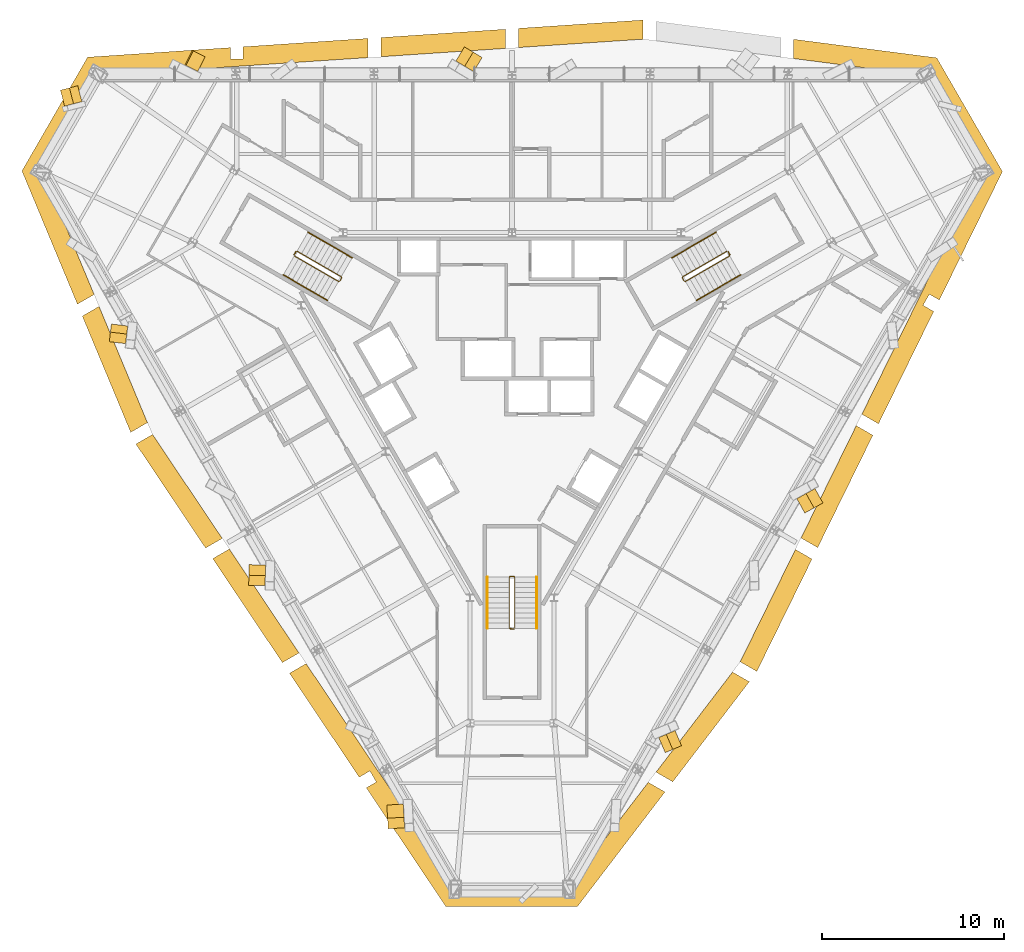
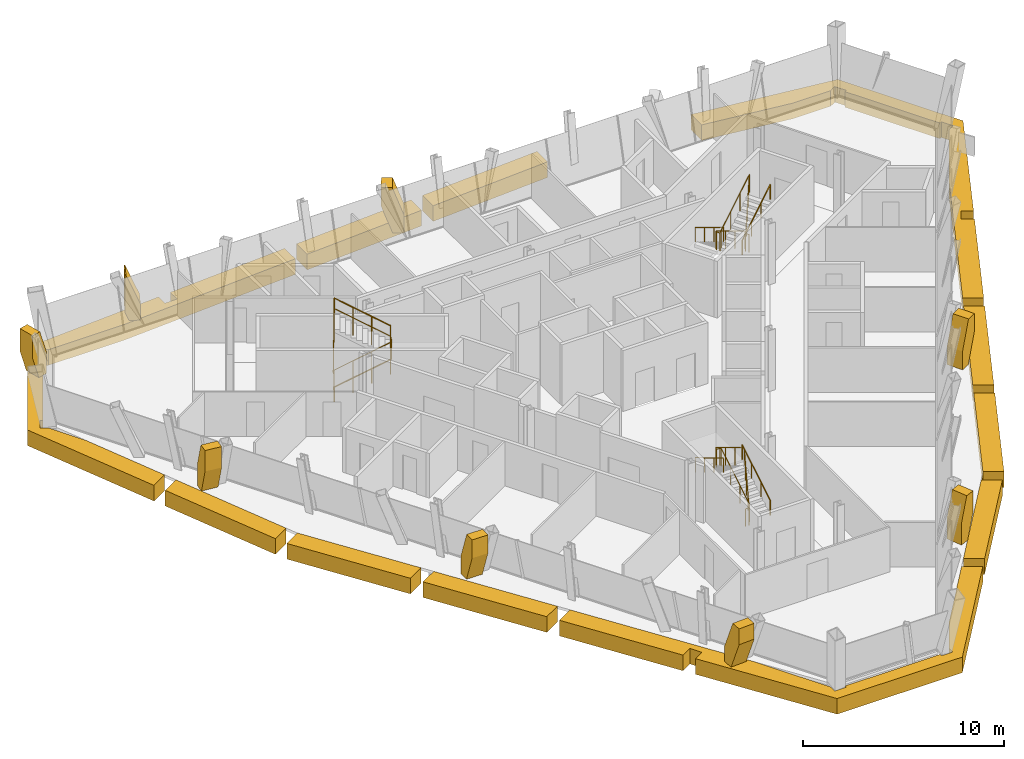
# One storey, part 10 of 11: 19 coverings, 9 railings.
"""IFC4 building model written with IfcOpenShell, lengths in metres."""

from ifc_helpers import new_model, si_unit, direction, frame, origin, origin_2d, place, context, subcontext, project, spatial, polyline, circle, outline, extrude, material, layer, layer_set, type_object, element, save


model = new_model("IFC4")

# Units and contexts
model_context = context("Model", 3, precision=1e-05, world=origin(), true_north=direction((0.0, 1.0)))
body_context = subcontext(model_context, "Body", "Model", "MODEL_VIEW")
ifc_project = project(units=[si_unit("LENGTHUNIT", "METRE"), si_unit("AREAUNIT", "SQUARE_METRE"), si_unit("VOLUMEUNIT", "CUBIC_METRE"), si_unit("PLANEANGLEUNIT", "RADIAN"), si_unit("MASSUNIT", "GRAM", prefix="KILO")], contexts=[model_context])

# Site, building, storey
site_placement = place(None, origin())
site = spatial("IfcSite", under=ifc_project, at=site_placement, CompositionType="ELEMENT")
building_placement = place(site_placement, origin())
building = spatial("IfcBuilding", under=site, at=building_placement, Name="Verrane Prism Tower", CompositionType="ELEMENT")
storey_placement = place(building_placement, frame((0.0, 0.0, 156.199951171875)))
storey = spatial("IfcBuildingStorey", under=building, at=storey_placement, Name="L38", CompositionType="ELEMENT", Elevation=156.199951171875)

# Railings
ifc_material_1 = material(Name="Steel A36 rail and posts, no infill", Category="steel")
railing_type_1 = type_object("IfcRailingType", Name="Stair guard 1100 steel rail and posts", PredefinedType="GUARDRAIL", material=ifc_material_1)
railing_1_placement = place(storey_placement, frame((11.78955078125, 6.97998046875, 0.168212890625)))
element("IfcRailing", 1, at=railing_1_placement, inside=storey, type_object=railing_type_1, Name="Stair 1 guard", PredefinedType="GUARDRAIL", context=body_context, shape_type="SweptSolid", body=[
    extrude(circle(Radius=0.02392578125, at=origin_2d()), frame((0.0, 0.0, 1.076171875), z_axis=(-0.742366697286, -0.42866220388, 0.514917859203), x_axis=(0.500049511043, -0.865996816683, 0.0)), (0.0, 0.0, 1.0), 3.266357421875),
    extrude(circle(Radius=0.02392578125, at=origin_2d()), frame((-2.4248046875, -1.400146484375, 2.7578125), z_axis=(-0.259601060869, -0.965715946433, 0.0), x_axis=(0.965715946433, -0.259601060869, 0.0)), (0.0, 0.0, 1.0), 0.070556640625),
    extrude(circle(Radius=0.02392578125, at=origin_2d()), frame((-2.443115234375, -1.46826171875, 2.7578125), z_axis=(0.499158860599, -0.866510491504, 0.0), x_axis=(0.866510491504, 0.499158860599, 0.0)), (0.0, 0.0, 1.0), 0.199951171875),
    extrude(circle(Radius=0.02392578125, at=origin_2d()), frame((-2.34326171875, -1.6416015625, 2.7578125), z_axis=(0.374585375571, -0.100335368456, 0.921747584887), x_axis=(0.258736085224, 0.965948051503, 0.0)), (0.0, 0.0, 1.0), 0.182373046875),
    extrude(circle(Radius=0.02392578125, at=origin_2d()), frame((-2.27490234375, -1.659912109375, 2.92626953125), z_axis=(0.742395268701, 0.428678701772, 0.514862928999), x_axis=(-0.500049511043, 0.865996816683, 0.0)), (0.0, 0.0, 1.0), 3.26611328125),
    extrude(circle(Radius=0.02392578125, at=origin_2d()), frame((0.14990234375, -0.259765625, 4.60791015625), z_axis=(-0.021986835041, 0.065104730107, -0.997636182785), x_axis=(-0.947430582667, -0.3199613899, 0.0)), (0.0, 0.0, 1.0), 3.708740234375),
    extrude(circle(Radius=0.02392578125, at=origin_2d()), frame((0.068359375, -0.018310546875, 0.90771484375), z_axis=(0.499158860599, -0.866510491504, 0.0), x_axis=(0.866510491504, 0.499158860599, 0.0)), (0.0, 0.0, 1.0), 0.199951171875),
    extrude(circle(Radius=0.02099609375, at=origin_2d()), origin(), (0.0, 0.0, 1.0), 1.052001953125),
    extrude(circle(Radius=0.02099609375, at=origin_2d()), frame((-0.808349609375, -0.466796875, 0.560546875)), (0.0, 0.0, 1.0), 1.052001953125),
    extrude(circle(Radius=0.02099609375, at=origin_2d()), frame((-1.616455078125, -0.933349609375, 1.121337890625)), (0.0, 0.0, 1.0), 1.052001953125),
    extrude(circle(Radius=0.02099609375, at=origin_2d()), frame((-2.4248046875, -1.400146484375, 1.681884765625)), (0.0, 0.0, 1.0), 1.052001953125),
    extrude(circle(Radius=0.02099609375, at=origin_2d()), frame((-2.443115234375, -1.46826171875, 1.681884765625)), (0.0, 0.0, 1.0), 1.052001953125),
    extrude(circle(Radius=0.02099609375, at=origin_2d()), frame((-2.34326171875, -1.6416015625, 1.681884765625)), (0.0, 0.0, 1.0), 1.052001953125),
    extrude(circle(Radius=0.02099609375, at=origin_2d()), frame((-2.27490234375, -1.659912109375, 1.85009765625)), (0.0, 0.0, 1.0), 1.052001953125),
    extrude(circle(Radius=0.02099609375, at=origin_2d()), frame((-1.466552734375, -1.193115234375, 2.41064453125)), (0.0, 0.0, 1.0), 1.052001953125),
    extrude(circle(Radius=0.02099609375, at=origin_2d()), frame((-0.658447265625, -0.7265625, 2.97119140625)), (0.0, 0.0, 1.0), 1.052001953125),
    extrude(circle(Radius=0.02099609375, at=origin_2d()), frame((0.14990234375, -0.259765625, 3.53173828125)), (0.0, 0.0, 1.0), 1.052001953125),
    extrude(circle(Radius=0.02099609375, at=origin_2d()), frame((0.12939453125, -0.199462890625, 2.606689453125)), (0.0, 0.0, 1.0), 1.052001953125),
    extrude(circle(Radius=0.02099609375, at=origin_2d()), frame((0.109130859375, -0.13916015625, 1.681640625)), (0.0, 0.0, 1.0), 1.052001953125),
    extrude(circle(Radius=0.02099609375, at=origin_2d()), frame((0.0888671875, -0.07861328125, 0.7568359375)), (0.0, 0.0, 1.0), 1.052001953125),
    extrude(circle(Radius=0.02099609375, at=origin_2d()), frame((0.068359375, -0.018310546875, -0.168212890625)), (0.0, 0.0, 1.0), 1.052001953125),
    extrude(circle(Radius=0.02099609375, at=origin_2d()), frame((0.168212890625, -0.191650390625, -0.168212890625)), (0.0, 0.0, 1.0), 1.052001953125),
])
railing_2_placement = place(storey_placement, frame((-11.939453125, 6.72021484375, 0.168212890625)))
element("IfcRailing", 2, at=railing_2_placement, inside=storey, type_object=railing_type_1, Name="Stair 2 guard", PredefinedType="GUARDRAIL", context=body_context, shape_type="SweptSolid", body=[
    extrude(circle(Radius=0.02392578125, at=origin_2d()), frame((0.0, 0.0, 1.076171875), z_axis=(0.742366697286, -0.42866220388, 0.514917859203), x_axis=(0.500049511043, 0.865996816683, 0.0)), (0.0, 0.0, 1.0), 3.266357421875),
    extrude(circle(Radius=0.02392578125, at=origin_2d()), frame((2.4248046875, -1.400146484375, 2.7578125), z_axis=(0.965948051503, 0.258736085224, 0.0), x_axis=(-0.258736085224, 0.965948051503, 0.0)), (0.0, 0.0, 1.0), 0.07080078125),
    extrude(circle(Radius=0.02392578125, at=origin_2d()), frame((2.4931640625, -1.3818359375, 2.7578125), z_axis=(0.499158860599, 0.866510491504, 0.0), x_axis=(-0.866510491504, 0.499158860599, 0.0)), (0.0, 0.0, 1.0), 0.199951171875),
    extrude(circle(Radius=0.02392578125, at=origin_2d()), frame((2.593017578125, -1.20849609375, 2.7578125), z_axis=(-0.100385596638, 0.373434419493, 0.922209014446), x_axis=(-0.965715946433, -0.259601060869, 0.0)), (0.0, 0.0, 1.0), 0.182373046875),
    extrude(circle(Radius=0.02392578125, at=origin_2d()), frame((2.57470703125, -1.140380859375, 2.92626953125), z_axis=(-0.742395268701, 0.428678701772, 0.514862928999), x_axis=(-0.500049511043, -0.865996816683, 0.0)), (0.0, 0.0, 1.0), 3.26611328125),
    extrude(circle(Radius=0.02392578125, at=origin_2d()), frame((0.14990234375, 0.259765625, 4.60791015625), z_axis=(-0.04535595117, -0.051675503147, -0.99763343973), x_axis=(0.751567565678, -0.659656118156, 0.0)), (0.0, 0.0, 1.0), 3.708740234375),
    extrude(circle(Radius=0.02392578125, at=origin_2d()), frame((-0.018310546875, 0.068115234375, 0.90771484375), z_axis=(0.499158860599, 0.866510491504, 0.0), x_axis=(-0.866510491504, 0.499158860599, 0.0)), (0.0, 0.0, 1.0), 0.199951171875),
    extrude(circle(Radius=0.02099609375, at=origin_2d()), origin(), (0.0, 0.0, 1.0), 1.052001953125),
    extrude(circle(Radius=0.02099609375, at=origin_2d()), frame((0.808349609375, -0.466796875, 0.560546875)), (0.0, 0.0, 1.0), 1.052001953125),
    extrude(circle(Radius=0.02099609375, at=origin_2d()), frame((1.616455078125, -0.933349609375, 1.121337890625)), (0.0, 0.0, 1.0), 1.052001953125),
    extrude(circle(Radius=0.02099609375, at=origin_2d()), frame((2.4248046875, -1.400146484375, 1.681884765625)), (0.0, 0.0, 1.0), 1.052001953125),
    extrude(circle(Radius=0.02099609375, at=origin_2d()), frame((2.4931640625, -1.3818359375, 1.681884765625)), (0.0, 0.0, 1.0), 1.052001953125),
    extrude(circle(Radius=0.02099609375, at=origin_2d()), frame((2.593017578125, -1.20849609375, 1.681884765625)), (0.0, 0.0, 1.0), 1.052001953125),
    extrude(circle(Radius=0.02099609375, at=origin_2d()), frame((2.57470703125, -1.140380859375, 1.85009765625)), (0.0, 0.0, 1.0), 1.052001953125),
    extrude(circle(Radius=0.02099609375, at=origin_2d()), frame((1.766357421875, -0.673583984375, 2.41064453125)), (0.0, 0.0, 1.0), 1.052001953125),
    extrude(circle(Radius=0.02099609375, at=origin_2d()), frame((0.958251953125, -0.20703125, 2.97119140625)), (0.0, 0.0, 1.0), 1.052001953125),
    extrude(circle(Radius=0.02099609375, at=origin_2d()), frame((0.14990234375, 0.259765625, 3.53173828125)), (0.0, 0.0, 1.0), 1.052001953125),
    extrude(circle(Radius=0.02099609375, at=origin_2d()), frame((0.10791015625, 0.2119140625, 2.606689453125)), (0.0, 0.0, 1.0), 1.052001953125),
    extrude(circle(Radius=0.02099609375, at=origin_2d()), frame((0.06591796875, 0.1640625, 1.681640625)), (0.0, 0.0, 1.0), 1.052001953125),
    extrude(circle(Radius=0.02099609375, at=origin_2d()), frame((0.023681640625, 0.115966796875, 0.7568359375)), (0.0, 0.0, 1.0), 1.052001953125),
    extrude(circle(Radius=0.02099609375, at=origin_2d()), frame((-0.018310546875, 0.068115234375, -0.168212890625)), (0.0, 0.0, 1.0), 1.052001953125),
    extrude(circle(Radius=0.02099609375, at=origin_2d()), frame((0.08154296875, 0.241455078125, -0.168212890625)), (0.0, 0.0, 1.0), 1.052001953125),
])
railing_3_placement = place(storey_placement, frame((0.14990234375, -13.699951171875, 0.168212890625)))
element("IfcRailing", 3, at=railing_3_placement, inside=storey, type_object=railing_type_1, Name="Stair 3 guard", PredefinedType="GUARDRAIL", context=body_context, shape_type="SweptSolid", body=[
    extrude(circle(Radius=0.02392578125, at=origin_2d()), frame((0.0, 0.0, 1.076171875), z_axis=(0.0, 0.857242210791, 0.514913383045), x_axis=(-1.0, 0.0, 0.0)), (0.0, 0.0, 1.0), 3.266357421875),
    extrude(circle(Radius=0.02392578125, at=origin_2d()), frame((0.0, 2.800048828125, 2.7578125), z_axis=(-0.707106781187, 0.707106781187, 0.0), x_axis=(-0.707106781187, -0.707106781187, 0.0)), (0.0, 0.0, 1.0), 0.0703125),
    extrude(circle(Radius=0.02392578125, at=origin_2d()), frame((-0.0498046875, 2.849853515625, 2.7578125), z_axis=(-1.0, 0.0, 0.0), x_axis=(0.0, -1.0, 0.0)), (0.0, 0.0, 1.0), 0.2001953125),
    extrude(circle(Radius=0.02392578125, at=origin_2d()), frame((-0.25, 2.849853515625, 2.7578125), z_axis=(-0.273106073848, -0.273106073848, 0.922402376869), x_axis=(0.707106781187, -0.707106781187, 0.0)), (0.0, 0.0, 1.0), 0.182373046875),
    extrude(circle(Radius=0.02392578125, at=origin_2d()), frame((-0.2998046875, 2.800048828125, 2.92626953125), z_axis=(0.0, -0.857275202839, 0.514858452973), x_axis=(1.0, 0.0, 0.0)), (0.0, 0.0, 1.0), 3.26611328125),
    extrude(circle(Radius=0.02392578125, at=origin_2d()), frame((-0.2998046875, 0.0, 4.60791015625), z_axis=(0.067408604812, -0.013494886706, -0.997634185476), x_axis=(0.196300278283, 0.98054382908, 0.0)), (0.0, 0.0, 1.0), 3.708740234375),
    extrude(circle(Radius=0.02392578125, at=origin_2d()), frame((-0.0498046875, -0.050048828125, 0.90771484375), z_axis=(-1.0, 0.0, 0.0), x_axis=(0.0, -1.0, 0.0)), (0.0, 0.0, 1.0), 0.2001953125),
    extrude(circle(Radius=0.02099609375, at=origin_2d()), origin(), (0.0, 0.0, 1.0), 1.052001953125),
    extrude(circle(Radius=0.02099609375, at=origin_2d()), frame((0.0, 0.933349609375, 0.560546875)), (0.0, 0.0, 1.0), 1.052001953125),
    extrude(circle(Radius=0.02099609375, at=origin_2d()), frame((0.0, 1.86669921875, 1.121337890625)), (0.0, 0.0, 1.0), 1.052001953125),
    extrude(circle(Radius=0.02099609375, at=origin_2d()), frame((0.0, 2.800048828125, 1.681884765625)), (0.0, 0.0, 1.0), 1.052001953125),
    extrude(circle(Radius=0.02099609375, at=origin_2d()), frame((-0.0498046875, 2.849853515625, 1.681884765625)), (0.0, 0.0, 1.0), 1.052001953125),
    extrude(circle(Radius=0.02099609375, at=origin_2d()), frame((-0.25, 2.849853515625, 1.681884765625)), (0.0, 0.0, 1.0), 1.052001953125),
    extrude(circle(Radius=0.02099609375, at=origin_2d()), frame((-0.2998046875, 2.800048828125, 1.85009765625)), (0.0, 0.0, 1.0), 1.052001953125),
    extrude(circle(Radius=0.02099609375, at=origin_2d()), frame((-0.2998046875, 1.86669921875, 2.41064453125)), (0.0, 0.0, 1.0), 1.052001953125),
    extrude(circle(Radius=0.02099609375, at=origin_2d()), frame((-0.2998046875, 0.933349609375, 2.97119140625)), (0.0, 0.0, 1.0), 1.052001953125),
    extrude(circle(Radius=0.02099609375, at=origin_2d()), frame((-0.2998046875, 0.0, 3.53173828125)), (0.0, 0.0, 1.0), 1.052001953125),
    extrude(circle(Radius=0.02099609375, at=origin_2d()), frame((-0.2373046875, -0.012451171875, 2.606689453125)), (0.0, 0.0, 1.0), 1.052001953125),
    extrude(circle(Radius=0.02099609375, at=origin_2d()), frame((-0.1748046875, -0.02490234375, 1.681640625)), (0.0, 0.0, 1.0), 1.052001953125),
    extrude(circle(Radius=0.02099609375, at=origin_2d()), frame((-0.1123046875, -0.03759765625, 0.7568359375)), (0.0, 0.0, 1.0), 1.052001953125),
    extrude(circle(Radius=0.02099609375, at=origin_2d()), frame((-0.0498046875, -0.050048828125, -0.168212890625)), (0.0, 0.0, 1.0), 1.052001953125),
    extrude(circle(Radius=0.02099609375, at=origin_2d()), frame((-0.25, -0.050048828125, -0.168212890625)), (0.0, 0.0, 1.0), 1.052001953125),
])
ifc_material_2 = material(Name="Steel A36 tube", Category="steel")
railing_type_2 = type_object("IfcRailingType", Name="Stair handrail 900 steel tube", PredefinedType="HANDRAIL", material=ifc_material_2)
railing_4_placement = place(storey_placement, frame((11.189453125, 8.01904296875, 0.168212890625)))
element("IfcRailing", 4, at=railing_4_placement, inside=storey, type_object=railing_type_2, Name="Stair 1 handrail", PredefinedType="HANDRAIL", context=body_context, shape_type="SweptSolid", body=[
    extrude(circle(Radius=0.02392578125, at=origin_2d()), frame((0.0, 0.0, 0.8759765625), z_axis=(-0.742390482028, -0.42860119049, 0.514934356695), x_axis=(0.49998411664, -0.866034573852, 0.0)), (0.0, 0.0, 1.0), 3.26611328125),
    extrude(circle(Radius=0.02099609375, at=origin_2d()), origin(), (0.0, 0.0, 1.0), 0.851806640625),
    extrude(circle(Radius=0.02099609375, at=origin_2d()), frame((-0.808349609375, -0.466552734375, 0.560546875)), (0.0, 0.0, 1.0), 0.851806640625),
    extrude(circle(Radius=0.02099609375, at=origin_2d()), frame((-1.616455078125, -0.933349609375, 1.121337890625)), (0.0, 0.0, 1.0), 0.851806640625),
    extrude(circle(Radius=0.02099609375, at=origin_2d()), frame((-2.4248046875, -1.39990234375, 1.681884765625)), (0.0, 0.0, 1.0), 0.851806640625),
])
railing_5_placement = place(storey_placement, frame((10.11474609375, 4.28076171875, 2.018310546875)))
element("IfcRailing", 5, at=railing_5_placement, inside=storey, type_object=railing_type_2, Name="Stair 1 handrail", PredefinedType="HANDRAIL", context=body_context, shape_type="SweptSolid", body=[
    extrude(circle(Radius=0.02392578125, at=origin_2d()), frame((0.0, 0.0, 0.8759765625), z_axis=(0.742395268701, 0.428678701772, 0.514862928999), x_axis=(-0.500049511043, 0.865996816683, 0.0)), (0.0, 0.0, 1.0), 3.26611328125),
    extrude(circle(Radius=0.02099609375, at=origin_2d()), origin(), (0.0, 0.0, 1.0), 0.851806640625),
    extrude(circle(Radius=0.02099609375, at=origin_2d()), frame((0.808349609375, 0.466796875, 0.560546875)), (0.0, 0.0, 1.0), 0.851806640625),
    extrude(circle(Radius=0.02099609375, at=origin_2d()), frame((1.616455078125, 0.933349609375, 1.12109375)), (0.0, 0.0, 1.0), 0.851806640625),
    extrude(circle(Radius=0.02099609375, at=origin_2d()), frame((2.4248046875, 1.400146484375, 1.681640625)), (0.0, 0.0, 1.0), 0.851806640625),
])
railing_6_placement = place(storey_placement, frame((-12.53955078125, 5.680908203125, 0.168212890625)))
element("IfcRailing", 6, at=railing_6_placement, inside=storey, type_object=railing_type_2, Name="Stair 2 handrail", PredefinedType="HANDRAIL", context=body_context, shape_type="SweptSolid", body=[
    extrude(circle(Radius=0.02392578125, at=origin_2d()), frame((0.0, 0.0, 0.8759765625), z_axis=(0.742366697286, -0.42866220388, 0.514917859203), x_axis=(0.500049511043, 0.865996816683, 0.0)), (0.0, 0.0, 1.0), 3.266357421875),
    extrude(circle(Radius=0.02099609375, at=origin_2d()), origin(), (0.0, 0.0, 1.0), 0.851806640625),
    extrude(circle(Radius=0.02099609375, at=origin_2d()), frame((0.808349609375, -0.466796875, 0.560546875)), (0.0, 0.0, 1.0), 0.851806640625),
    extrude(circle(Radius=0.02099609375, at=origin_2d()), frame((1.616455078125, -0.933349609375, 1.121337890625)), (0.0, 0.0, 1.0), 0.851806640625),
    extrude(circle(Radius=0.02099609375, at=origin_2d()), frame((2.4248046875, -1.400146484375, 1.681884765625)), (0.0, 0.0, 1.0), 0.851806640625),
])
railing_7_placement = place(storey_placement, frame((-8.7646484375, 6.619140625, 2.018310546875)))
element("IfcRailing", 7, at=railing_7_placement, inside=storey, type_object=railing_type_2, Name="Stair 2 handrail", PredefinedType="HANDRAIL", context=body_context, shape_type="SweptSolid", body=[
    extrude(circle(Radius=0.02392578125, at=origin_2d()), frame((0.0, 0.0, 0.8759765625), z_axis=(-0.74241905619, 0.428617687091, 0.514879426), x_axis=(-0.49998411664, -0.866034573852, 0.0)), (0.0, 0.0, 1.0), 3.26611328125),
    extrude(circle(Radius=0.02099609375, at=origin_2d()), origin(), (0.0, 0.0, 1.0), 0.851806640625),
    extrude(circle(Radius=0.02099609375, at=origin_2d()), frame((-0.808349609375, 0.466552734375, 0.560546875)), (0.0, 0.0, 1.0), 0.851806640625),
    extrude(circle(Radius=0.02099609375, at=origin_2d()), frame((-1.616455078125, 0.933349609375, 1.12109375)), (0.0, 0.0, 1.0), 0.851806640625),
    extrude(circle(Radius=0.02099609375, at=origin_2d()), frame((-2.4248046875, 1.39990234375, 1.681640625)), (0.0, 0.0, 1.0), 0.851806640625),
])
railing_8_placement = place(storey_placement, frame((1.35009765625, -13.699951171875, 0.168212890625)))
element("IfcRailing", 8, at=railing_8_placement, inside=storey, type_object=railing_type_2, Name="Stair 3 handrail", PredefinedType="HANDRAIL", context=body_context, shape_type="SweptSolid", body=[
    extrude(circle(Radius=0.02392578125, at=origin_2d()), frame((0.0, 0.0, 0.8759765625), z_axis=(0.0, 0.857242210791, 0.514913383045), x_axis=(-1.0, 0.0, 0.0)), (0.0, 0.0, 1.0), 3.266357421875),
    extrude(circle(Radius=0.02099609375, at=origin_2d()), origin(), (0.0, 0.0, 1.0), 0.851806640625),
    extrude(circle(Radius=0.02099609375, at=origin_2d()), frame((0.0, 0.933349609375, 0.560546875)), (0.0, 0.0, 1.0), 0.851806640625),
    extrude(circle(Radius=0.02099609375, at=origin_2d()), frame((0.0, 1.86669921875, 1.121337890625)), (0.0, 0.0, 1.0), 0.851806640625),
    extrude(circle(Radius=0.02099609375, at=origin_2d()), frame((0.0, 2.800048828125, 1.681884765625)), (0.0, 0.0, 1.0), 0.851806640625),
])
railing_9_placement = place(storey_placement, frame((-1.35009765625, -10.89990234375, 2.018310546875)))
element("IfcRailing", 9, at=railing_9_placement, inside=storey, type_object=railing_type_2, Name="Stair 3 handrail", PredefinedType="HANDRAIL", context=body_context, shape_type="SweptSolid", body=[
    extrude(circle(Radius=0.02392578125, at=origin_2d()), frame((0.0, 0.0, 0.8759765625), z_axis=(0.0, -0.857275202839, 0.514858452973), x_axis=(1.0, 0.0, 0.0)), (0.0, 0.0, 1.0), 3.26611328125),
    extrude(circle(Radius=0.02099609375, at=origin_2d()), origin(), (0.0, 0.0, 1.0), 0.851806640625),
    extrude(circle(Radius=0.02099609375, at=origin_2d()), frame((0.0, -0.933349609375, 0.560546875)), (0.0, 0.0, 1.0), 0.851806640625),
    extrude(circle(Radius=0.02099609375, at=origin_2d()), frame((0.0, -1.86669921875, 1.12109375)), (0.0, 0.0, 1.0), 0.851806640625),
    extrude(circle(Radius=0.02099609375, at=origin_2d()), frame((0.0, -2.800048828125, 1.681640625)), (0.0, 0.0, 1.0), 0.851806640625),
])

# Coverings
ifc_material_3 = material(Name="Warm limestone cladding", Category="masonry")
ifc_layer_1 = layer(ifc_material_3, 0.89990234375)
ifc_layer_set_1 = layer_set([ifc_layer_1], Name="Stone brace fin 900")
covering_type_1 = type_object("IfcCoveringType", Name="Stone brace fin 900", PredefinedType="CLADDING", material=ifc_layer_set_1)
covering_1_placement = place(storey_placement, frame((-1.870849609375, 17.21337890625, 0.0), z_axis=(0.0, 0.0, 1.0), x_axis=(-0.857036812882, 0.515255180823, 0.0)))
element("IfcCovering", 10, at=covering_1_placement, inside=storey, type_object=covering_type_1, Name="Stone brace fin N4 L38", PredefinedType="CLADDING", context=body_context, shape_type="SweptSolid", body=[
    extrude(outline(polyline([(1.13427734375, 2.75), (0.5751953125, 2.75), (0.0, 1.12890625), (0.0, 0.0), (0.554443359375, 0.0), (1.13427734375, 1.634033203125), (1.13427734375, 2.75)])), frame((0.0, 0.449951171875, 0.0), z_axis=(0.0, -1.0, 0.0), x_axis=(1.0, 0.0, 0.0)), (0.0, 0.0, 1.0), 0.89990234375),
])
covering_2_placement = place(storey_placement, frame((-17.031494140625, 17.239501953125, 0.0), z_axis=(0.0, 0.0, 1.0), x_axis=(-0.894240228843, 0.447587324573, 0.0)))
element("IfcCovering", 11, at=covering_2_placement, inside=storey, type_object=covering_type_1, Name="Stone brace fin N6 L38", PredefinedType="CLADDING", context=body_context, shape_type="SweptSolid", body=[
    extrude(outline(polyline([(0.783935546875, 2.75), (0.7265625, 2.75), (0.0, 0.97265625), (0.0, 0.0), (0.57470703125, 0.0), (0.783935546875, 0.511962890625), (0.783935546875, 2.75)])), frame((0.0, 0.449951171875, 0.0), z_axis=(0.0, -1.0, 0.0), x_axis=(1.0, 0.0, 0.0)), (0.0, 0.0, 1.0), 0.89990234375),
])
covering_3_placement = place(storey_placement, frame((-21.52099609375, 2.931884765625, 0.0), z_axis=(0.0, 0.0, 1.0), x_axis=(-0.119036519778, -0.992889876552, 0.0)))
element("IfcCovering", 12, at=covering_3_placement, inside=storey, type_object=covering_type_1, Name="Stone brace fin SW2 L38", PredefinedType="CLADDING", context=body_context, shape_type="SweptSolid", body=[
    extrude(outline(polyline([(0.974365234375, 2.75), (0.447021484375, 2.75), (0.0, 1.283447265625), (0.0, 0.0), (0.523193359375, 0.0), (0.974365234375, 1.4794921875), (0.974365234375, 2.75)])), frame((0.0, 0.449951171875, 0.0), z_axis=(0.0, -1.0, 0.0), x_axis=(1.0, 0.0, 0.0)), (0.0, 0.0, 1.0), 0.89990234375),
])
covering_4_placement = place(storey_placement, frame((-13.968505859375, -10.22119140625, 0.0), z_axis=(0.0, 0.0, 1.0), x_axis=(-0.019755593902, -0.999804839211, 0.0)))
element("IfcCovering", 13, at=covering_4_placement, inside=storey, type_object=covering_type_1, Name="Stone brace fin SW4 L38", PredefinedType="CLADDING", context=body_context, shape_type="SweptSolid", body=[
    extrude(outline(polyline([(1.136962890625, 2.75), (0.57763671875, 2.75), (0.0, 1.1259765625), (0.0, 0.0), (0.5546875, 0.0), (1.136962890625, 1.636962890625), (1.136962890625, 2.75)])), frame((0.0, 0.449951171875, 0.0), z_axis=(0.0, -1.0, 0.0), x_axis=(1.0, 0.0, 0.0)), (0.0, 0.0, 1.0), 0.89990234375),
])
covering_5_placement = place(storey_placement, frame((-6.416748046875, -23.36669921875, 0.0), z_axis=(0.0, 0.0, 1.0), x_axis=(0.058996497141, -0.998258189711, 0.0)))
element("IfcCovering", 14, at=covering_5_placement, inside=storey, type_object=covering_type_1, Name="Stone brace fin SW6 L38", PredefinedType="CLADDING", context=body_context, shape_type="SweptSolid", body=[
    extrude(outline(polyline([(1.303466796875, 2.75), (0.723876953125, 2.75), (0.0, 0.97509765625), (0.0, 0.0), (0.574462890625, 0.0), (1.303466796875, 1.787841796875), (1.303466796875, 2.75)])), frame((0.0, 0.449951171875, 0.0), z_axis=(0.0, -1.0, 0.0), x_axis=(1.0, 0.0, 0.0)), (0.0, 0.0, 1.0), 0.89990234375),
])
covering_6_placement = place(storey_placement, frame((8.224853515625, -20.10546875, 0.0), z_axis=(0.0, 0.0, 1.0), x_axis=(0.919300647289, 0.393555993341, 0.0)))
element("IfcCovering", 15, at=covering_6_placement, inside=storey, type_object=covering_type_1, Name="Stone brace fin SE2 L38", PredefinedType="CLADDING", context=body_context, shape_type="SweptSolid", body=[
    extrude(outline(polyline([(0.973388671875, 2.75), (0.446533203125, 2.75), (0.0, 1.283447265625), (0.0, 0.0), (0.522705078125, 0.0), (0.973388671875, 1.4794921875), (0.973388671875, 2.75)])), frame((0.0, 0.449951171875, 0.0), z_axis=(0.0, -1.0, 0.0), x_axis=(1.0, 0.0, 0.0)), (0.0, 0.0, 1.0), 0.89990234375),
])
covering_7_placement = place(storey_placement, frame((15.839599609375, -6.983642578125, 0.0), z_axis=(0.0, 0.0, 1.0), x_axis=(0.87476473351, 0.484547893408, 0.0)))
element("IfcCovering", 16, at=covering_7_placement, inside=storey, type_object=covering_type_1, Name="Stone brace fin SE4 L38", PredefinedType="CLADDING", context=body_context, shape_type="SweptSolid", body=[
    extrude(outline(polyline([(1.13623046875, 2.75), (0.5771484375, 2.75), (0.0, 1.126708984375), (0.0, 0.0), (0.5546875, 0.0), (1.13623046875, 1.63623046875), (1.13623046875, 2.75)])), frame((0.0, 0.449951171875, 0.0), z_axis=(0.0, -1.0, 0.0), x_axis=(1.0, 0.0, 0.0)), (0.0, 0.0, 1.0), 0.89990234375),
])
covering_8_placement = place(storey_placement, frame((-23.700439453125, 15.619384765625, 0.0), z_axis=(0.0, 0.0, 1.0), x_axis=(-0.968316138578, -0.249727563096, 0.0)))
element("IfcCovering", 17, at=covering_8_placement, inside=storey, type_object=covering_type_1, Name="Stone brace fin NW1 L38", PredefinedType="CLADDING", context=body_context, shape_type="SweptSolid", body=[
    extrude(outline(polyline([(0.9814453125, 2.75), (0.472900390625, 2.75), (0.0, 1.251953125), (0.0, 0.0), (0.548583984375, 0.0), (0.9814453125, 1.37109375), (0.9814453125, 2.75)])), frame((0.0, 0.449951171875, 0.0), z_axis=(0.0, -1.0, 0.0), x_axis=(1.0, 0.0, 0.0)), (0.0, 0.0, 1.0), 0.89990234375),
])
ifc_material_4 = material(Name="Warm limestone cladding", Category="masonry")
ifc_layer_2 = layer(ifc_material_4, 0.449951171875)
ifc_layer_set_2 = layer_set([ifc_layer_2], Name="Stone spandrel band 450")
covering_type_2 = type_object("IfcCoveringType", Name="Stone spandrel band 450", PredefinedType="CLADDING", material=ifc_layer_set_2)
covering_9_placement = place(storey_placement, frame((0.0, 0.0, -0.949951171875)))
element("IfcCovering", 18, at=covering_9_placement, inside=storey, type_object=covering_type_2, Name="Stone spandrel band L38 part 1", PredefinedType="CLADDING", context=body_context, shape_type="SweptSolid", body=[
    extrude(outline(polyline([(3.581787109375, -28.964599609375), (8.388671875, -22.677978515625), (7.4716796875, -22.148681640625), (4.4775390625, -26.064453125), (3.389892578125, -27.9482421875), (3.389892578125, -28.340087890625), (2.72998046875, -28.340087890625), (2.72998046875, -28.214599609375), (-2.72998046875, -28.214599609375), (-2.72998046875, -28.340087890625), (-3.389892578125, -28.340087890625), (-3.389892578125, -27.9482421875), (-5.564453125, -24.181884765625), (-11.290283203125, -15.637939453125), (-12.20166015625, -16.164306640625), (-8.380859375, -21.865478515625), (-7.79052734375, -21.5244140625), (-7.4404296875, -22.130615234375), (-7.990478515625, -22.4482421875), (-3.623291015625, -28.964599609375), (3.581787109375, -28.964599609375)])), origin(), (0.0, 0.0, 1.0), 0.949951171875),
])
covering_10_placement = place(storey_placement, frame((0.0, 0.0, -0.949951171875)))
element("IfcCovering", 19, at=covering_10_placement, inside=storey, type_object=covering_type_2, Name="Stone spandrel band L38 part 2", PredefinedType="CLADDING", context=body_context, shape_type="SweptSolid", body=[
    extrude(outline(polyline([(15.445556640625, 17.544921875), (20.333740234375, 16.909912109375), (22.49951171875, 16.909912109375), (22.847412109375, 17.11083984375), (23.177490234375, 16.539306640625), (23.0673828125, 16.4755859375), (25.80419921875, 11.7353515625), (25.91748046875, 11.80078125), (26.247314453125, 11.229248046875), (25.89013671875, 11.02294921875), (23.724609375, 7.27197265625), (19.18798828125, -1.95849609375), (20.099609375, -2.48486328125), (23.12646484375, 3.674560546875), (22.539306640625, 4.013671875), (22.889404296875, 4.619873046875), (23.43603515625, 4.30419921875), (26.89599609375, 11.344482421875), (23.293212890625, 17.58447265625), (15.445556640625, 18.603759765625), (15.445556640625, 17.544921875)])), origin(), (0.0, 0.0, 1.0), 0.949951171875),
])
covering_11_placement = place(storey_placement, frame((0.0, 0.0, -0.949951171875)))
element("IfcCovering", 20, at=covering_11_placement, inside=storey, type_object=covering_type_2, Name="Stone spandrel band L38 part 3", PredefinedType="CLADDING", context=body_context, shape_type="SweptSolid", body=[
    extrude(outline(polyline([(-22.917236328125, 4.603759765625), (-24.811279296875, 9.154541015625), (-25.89013671875, 11.02294921875), (-26.247314453125, 11.229248046875), (-25.91748046875, 11.80078125), (-25.80419921875, 11.7353515625), (-23.0673828125, 16.4755859375), (-23.177490234375, 16.539306640625), (-22.847412109375, 17.11083984375), (-22.49951171875, 16.909912109375), (-18.159912109375, 16.909912109375), (-7.897705078125, 17.5966796875), (-7.897705078125, 18.64892578125), (-14.74560546875, 18.19091796875), (-14.74560546875, 17.511962890625), (-15.445556640625, 17.511962890625), (-15.445556640625, 18.14404296875), (-23.272705078125, 17.6201171875), (-26.875244140625, 11.38037109375), (-23.833984375, 4.07421875), (-22.917236328125, 4.603759765625)])), origin(), (0.0, 0.0, 1.0), 0.949951171875),
])
covering_12_placement = place(storey_placement, frame((0.0, 0.0, -0.949951171875)))
element("IfcCovering", 21, at=covering_12_placement, inside=storey, type_object=covering_type_2, Name="Stone spandrel band L38 part 4", PredefinedType="CLADDING", context=body_context, shape_type="SweptSolid", body=[
    extrude(outline(polyline([(12.094482421875, -16.102294921875), (7.900390625, -21.587890625), (8.8173828125, -22.1171875), (13.011474609375, -16.6318359375), (12.094482421875, -16.102294921875)])), origin(), (0.0, 0.0, 1.0), 0.949951171875),
])
covering_13_placement = place(storey_placement, frame((0.0, 0.0, -0.949951171875)))
element("IfcCovering", 22, at=covering_13_placement, inside=storey, type_object=covering_type_2, Name="Stone spandrel band L38 part 6", PredefinedType="CLADDING", context=body_context, shape_type="SweptSolid", body=[
    extrude(outline(polyline([(-20.9091796875, -2.952392578125), (-19.9921875, -2.423095703125), (-22.64599609375, 3.9521484375), (-23.56298828125, 3.422607421875), (-20.9091796875, -2.952392578125)])), origin(), (0.0, 0.0, 1.0), 0.949951171875),
])
covering_14_placement = place(storey_placement, frame((0.0, 0.0, -0.949951171875)))
element("IfcCovering", 23, at=covering_14_placement, inside=storey, type_object=covering_type_2, Name="Stone spandrel band L38 part 7", PredefinedType="CLADDING", context=body_context, shape_type="SweptSolid", body=[
    extrude(outline(polyline([(-16.803466796875, -9.29736328125), (-15.89208984375, -8.771240234375), (-19.712890625, -3.06982421875), (-20.624267578125, -3.59619140625), (-16.803466796875, -9.29736328125)])), origin(), (0.0, 0.0, 1.0), 0.949951171875),
])
covering_15_placement = place(storey_placement, frame((0.0, 0.0, -0.949951171875)))
element("IfcCovering", 24, at=covering_15_placement, inside=storey, type_object=covering_type_2, Name="Stone spandrel band L38 part 8", PredefinedType="CLADDING", context=body_context, shape_type="SweptSolid", body=[
    extrude(outline(polyline([(-11.680908203125, -15.05517578125), (-15.501708984375, -9.35400390625), (-16.412841796875, -9.880126953125), (-12.59228515625, -15.581298828125), (-11.680908203125, -15.05517578125)])), origin(), (0.0, 0.0, 1.0), 0.949951171875),
])
covering_16_placement = place(storey_placement, frame((0.0, 0.0, -0.949951171875)))
element("IfcCovering", 25, at=covering_16_placement, inside=storey, type_object=covering_type_2, Name="Stone spandrel band L38 part 9", PredefinedType="CLADDING", context=body_context, shape_type="SweptSolid", body=[
    extrude(outline(polyline([(16.45361328125, -9.903564453125), (15.5419921875, -9.37744140625), (12.514892578125, -15.536865234375), (13.426513671875, -16.06298828125), (16.45361328125, -9.903564453125)])), origin(), (0.0, 0.0, 1.0), 0.949951171875),
])
covering_17_placement = place(storey_placement, frame((0.0, 0.0, -0.949951171875)))
element("IfcCovering", 26, at=covering_17_placement, inside=storey, type_object=covering_type_2, Name="Stone spandrel band L38 part 10", PredefinedType="CLADDING", context=body_context, shape_type="SweptSolid", body=[
    extrude(outline(polyline([(18.878662109375, -2.58837890625), (15.8515625, -8.747802734375), (16.762939453125, -9.27392578125), (19.7900390625, -3.114501953125), (18.878662109375, -2.58837890625)])), origin(), (0.0, 0.0, 1.0), 0.949951171875),
])
covering_18_placement = place(storey_placement, frame((0.0, 0.0, -0.949951171875)))
element("IfcCovering", 27, at=covering_18_placement, inside=storey, type_object=covering_type_2, Name="Stone spandrel band L38 part 11", PredefinedType="CLADDING", context=body_context, shape_type="SweptSolid", body=[
    extrude(outline(polyline([(0.35009765625, 18.148681640625), (7.19775390625, 18.606689453125), (7.19775390625, 19.6591796875), (0.35009765625, 19.200927734375), (0.35009765625, 18.148681640625)])), origin(), (0.0, 0.0, 1.0), 0.949951171875),
])
covering_19_placement = place(storey_placement, frame((0.0, 0.0, -0.949951171875)))
element("IfcCovering", 28, at=covering_19_placement, inside=storey, type_object=covering_type_2, Name="Stone spandrel band L38 part 12", PredefinedType="CLADDING", context=body_context, shape_type="SweptSolid", body=[
    extrude(outline(polyline([(-7.19775390625, 18.69580078125), (-7.19775390625, 17.6435546875), (-0.35009765625, 18.101806640625), (-0.35009765625, 19.154052734375), (-7.19775390625, 18.69580078125)])), origin(), (0.0, 0.0, 1.0), 0.949951171875),
])

save(model, "model.ifc")
